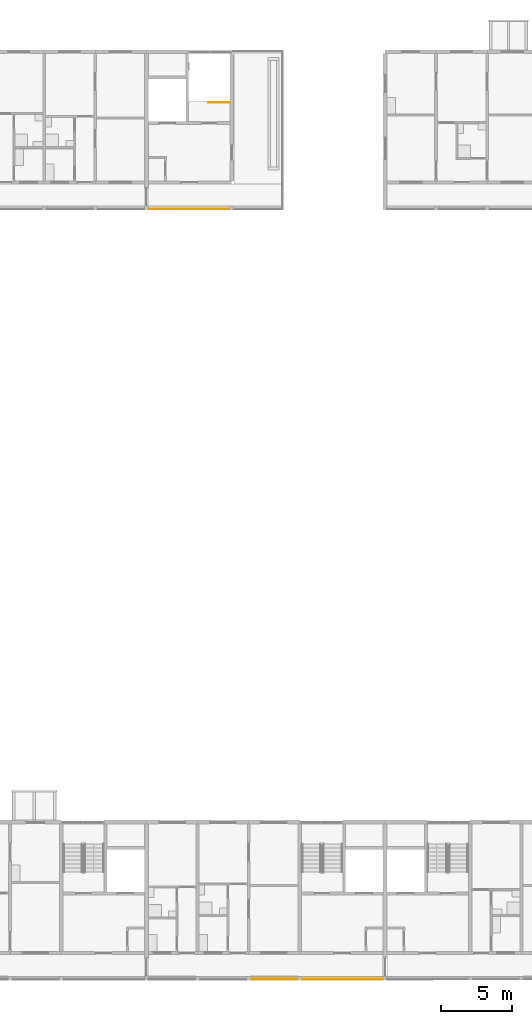
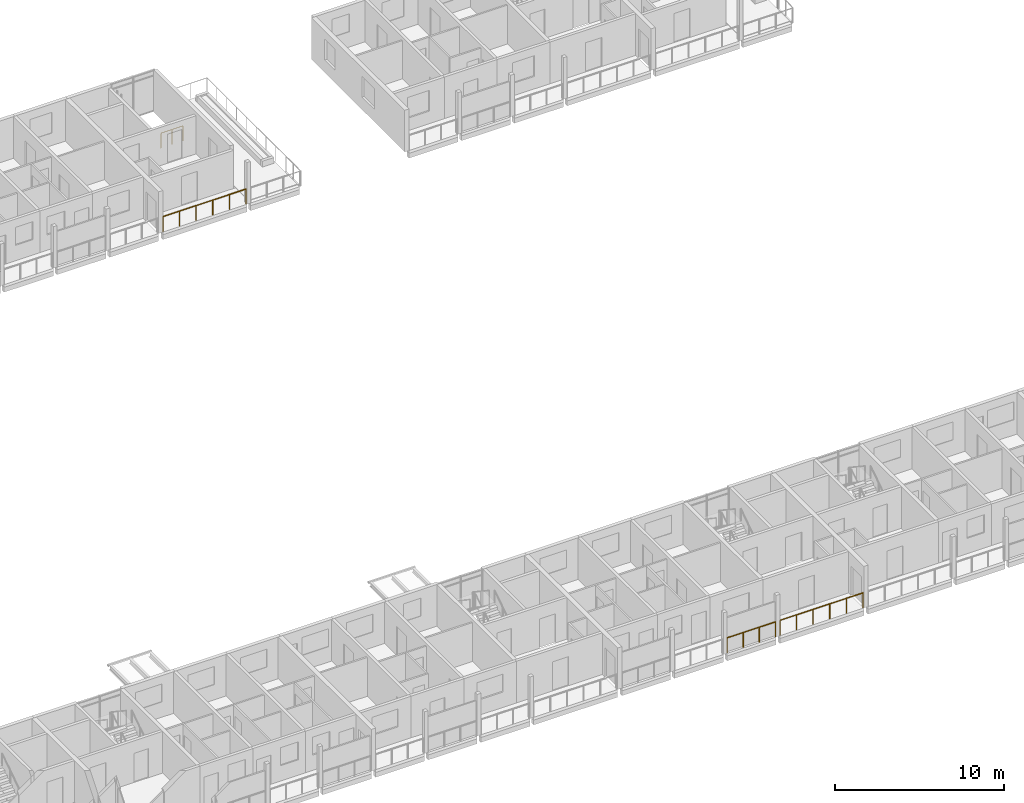
# One storey, part 82 of 87: 4 railings.
"""IFC4 building model written with IfcOpenShell, lengths in metres."""

from ifc_helpers import new_model, si_unit, direction, frame, origin, origin_2d, place, context, subcontext, project, spatial, circle, extrude, material, type_object, element, save


model = new_model("IFC4")

# Units and contexts
model_context = context("Model", 3, precision=1e-05, world=origin(), true_north=direction((0.0, 1.0)))
body_context = subcontext(model_context, "Body", "Model", "MODEL_VIEW")
ifc_project = project(units=[si_unit("LENGTHUNIT", "METRE"), si_unit("AREAUNIT", "SQUARE_METRE"), si_unit("VOLUMEUNIT", "CUBIC_METRE"), si_unit("PLANEANGLEUNIT", "RADIAN"), si_unit("MASSUNIT", "GRAM", prefix="KILO")], contexts=[model_context])

# Site, building, storey
site_placement = place(None, origin())
site = spatial("IfcSite", under=ifc_project, at=site_placement, CompositionType="ELEMENT")
building_placement = place(site_placement, origin())
building = spatial("IfcBuilding", under=site, at=building_placement, Name="Ridgestep Commons", CompositionType="ELEMENT")
storey_placement = place(building_placement, frame((0.0, 0.0, 27.0)))
storey = spatial("IfcBuildingStorey", under=building, at=storey_placement, Name="L09", CompositionType="ELEMENT", Elevation=27.0)

# Railings
ifc_material_1 = material(Name="Structural steel S355JR", Category="steel")
railing_type_1 = type_object("IfcRailingType", Name="Guard 1100", PredefinedType="GUARDRAIL", material=ifc_material_1)
railing_1_placement = place(storey_placement, frame((204.5458984375, 11.800048828125, 0.0)))
element("IfcRailing", 1, at=railing_1_placement, inside=storey, type_object=railing_type_1, Name="Gallery guard D 09.15", PredefinedType="GUARDRAIL", context=body_context, shape_type="SweptSolid", body=[
    extrude(circle(Radius=0.02392578125, at=origin_2d()), frame((0.0, 0.0, 1.076171875), z_axis=(1.0, 0.0, 0.0), x_axis=(0.0, 1.0, 0.0)), (0.0, 0.0, 1.0), 3.30810546875),
    extrude(circle(Radius=0.02099609375, at=origin_2d()), origin(), (0.0, 0.0, 1.0), 1.052001953125),
    extrude(circle(Radius=0.02099609375, at=origin_2d()), frame((1.102783203125, 0.0, 0.0)), (0.0, 0.0, 1.0), 1.052001953125),
    extrude(circle(Radius=0.02099609375, at=origin_2d()), frame((2.205322265625, 0.0, 0.0)), (0.0, 0.0, 1.0), 1.052001953125),
    extrude(circle(Radius=0.02099609375, at=origin_2d()), frame((3.30810546875, 0.0, 0.0)), (0.0, 0.0, 1.0), 1.052001953125),
])
railing_2_placement = place(storey_placement, frame((208.14599609375, 11.800048828125, 0.0)))
element("IfcRailing", 2, at=railing_2_placement, inside=storey, type_object=railing_type_1, Name="Gallery guard D 09.16", PredefinedType="GUARDRAIL", context=body_context, shape_type="SweptSolid", body=[
    extrude(circle(Radius=0.02392578125, at=origin_2d()), frame((0.0, 0.0, 1.076171875), z_axis=(1.0, 0.0, 0.0), x_axis=(0.0, 1.0, 0.0)), (0.0, 0.0, 1.0), 5.68310546875),
    extrude(circle(Radius=0.02099609375, at=origin_2d()), origin(), (0.0, 0.0, 1.0), 1.052001953125),
    extrude(circle(Radius=0.02099609375, at=origin_2d()), frame((1.13671875, 0.0, 0.0)), (0.0, 0.0, 1.0), 1.052001953125),
    extrude(circle(Radius=0.02099609375, at=origin_2d()), frame((2.273193359375, 0.0, 0.0)), (0.0, 0.0, 1.0), 1.052001953125),
    extrude(circle(Radius=0.02099609375, at=origin_2d()), frame((3.409912109375, 0.0, 0.0)), (0.0, 0.0, 1.0), 1.052001953125),
    extrude(circle(Radius=0.02099609375, at=origin_2d()), frame((4.54638671875, 0.0, 0.0)), (0.0, 0.0, 1.0), 1.052001953125),
    extrude(circle(Radius=0.02099609375, at=origin_2d()), frame((5.68310546875, 0.0, 0.0)), (0.0, 0.0, 1.0), 1.052001953125),
])
railing_3_placement = place(storey_placement, frame((197.37109375, 66.050048828125, 0.0)))
element("IfcRailing", 3, at=railing_3_placement, inside=storey, type_object=railing_type_1, Name="Gallery guard C 09.7", PredefinedType="GUARDRAIL", context=body_context, shape_type="SweptSolid", body=[
    extrude(circle(Radius=0.02392578125, at=origin_2d()), frame((0.0, 0.0, 1.076171875), z_axis=(1.0, 0.0, 0.0), x_axis=(0.0, 1.0, 0.0)), (0.0, 0.0, 1.0), 5.682861328125),
    extrude(circle(Radius=0.02099609375, at=origin_2d()), origin(), (0.0, 0.0, 1.0), 1.052001953125),
    extrude(circle(Radius=0.02099609375, at=origin_2d()), frame((1.136474609375, 0.0, 0.0)), (0.0, 0.0, 1.0), 1.052001953125),
    extrude(circle(Radius=0.02099609375, at=origin_2d()), frame((2.273193359375, 0.0, 0.0)), (0.0, 0.0, 1.0), 1.052001953125),
    extrude(circle(Radius=0.02099609375, at=origin_2d()), frame((3.40966796875, 0.0, 0.0)), (0.0, 0.0, 1.0), 1.052001953125),
    extrude(circle(Radius=0.02099609375, at=origin_2d()), frame((4.54638671875, 0.0, 0.0)), (0.0, 0.0, 1.0), 1.052001953125),
    extrude(circle(Radius=0.02099609375, at=origin_2d()), frame((5.682861328125, 0.0, 0.0)), (0.0, 0.0, 1.0), 1.052001953125),
])
ifc_material_2 = material(Name="Structural steel S355JR", Category="steel")
railing_type_2 = type_object("IfcRailingType", Name="Stair guard 1100", PredefinedType="GUARDRAIL", material=ifc_material_2)
railing_4_placement = place(storey_placement, frame((203.074951171875, 73.550048828125, 0.0)))
element("IfcRailing", 4, at=railing_4_placement, inside=storey, type_object=railing_type_2, Name="L09 C4C top well guard 1", PredefinedType="GUARDRAIL", context=body_context, shape_type="SweptSolid", body=[
    extrude(circle(Radius=0.02392578125, at=origin_2d()), frame((0.0, 0.0, 1.076171875), z_axis=(-1.0, 0.0, 0.0), x_axis=(0.0, -1.0, 0.0)), (0.0, 0.0, 1.0), 1.5),
    extrude(circle(Radius=0.02099609375, at=origin_2d()), origin(), (0.0, 0.0, 1.0), 1.052001953125),
    extrude(circle(Radius=0.02099609375, at=origin_2d()), frame((-0.75, 0.0, 0.0)), (0.0, 0.0, 1.0), 1.052001953125),
    extrude(circle(Radius=0.02099609375, at=origin_2d()), frame((-1.5, 0.0, 0.0)), (0.0, 0.0, 1.0), 1.052001953125),
])

save(model, "model.ifc")
